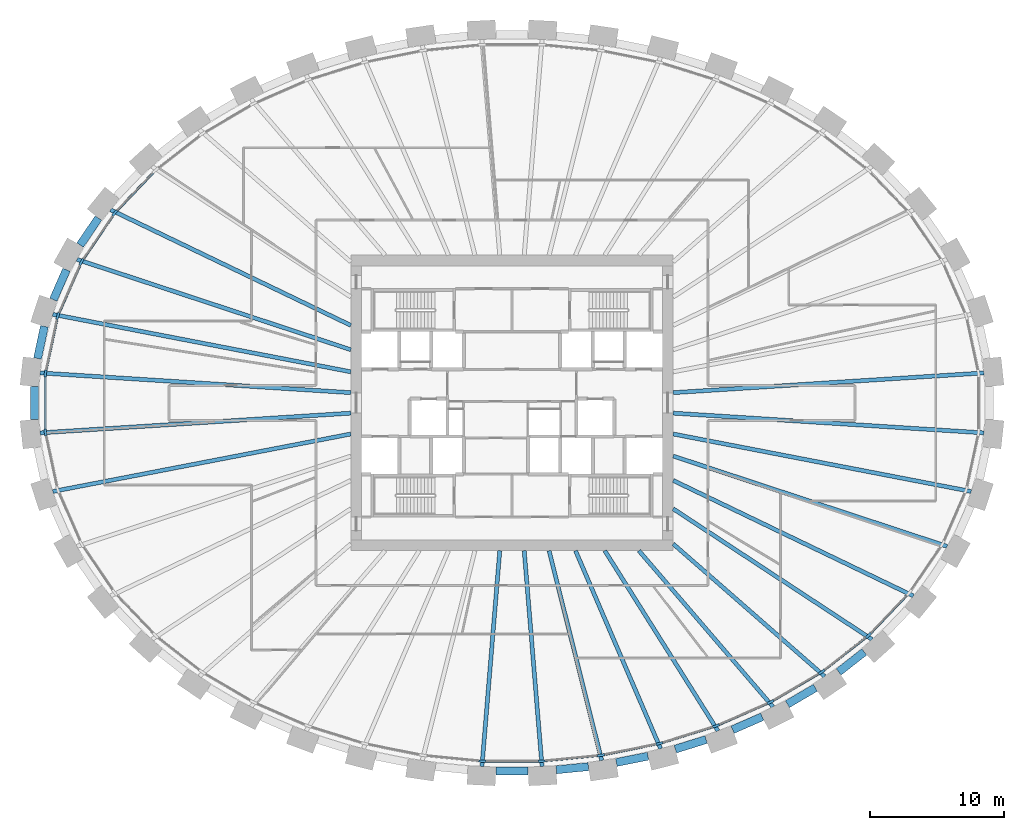
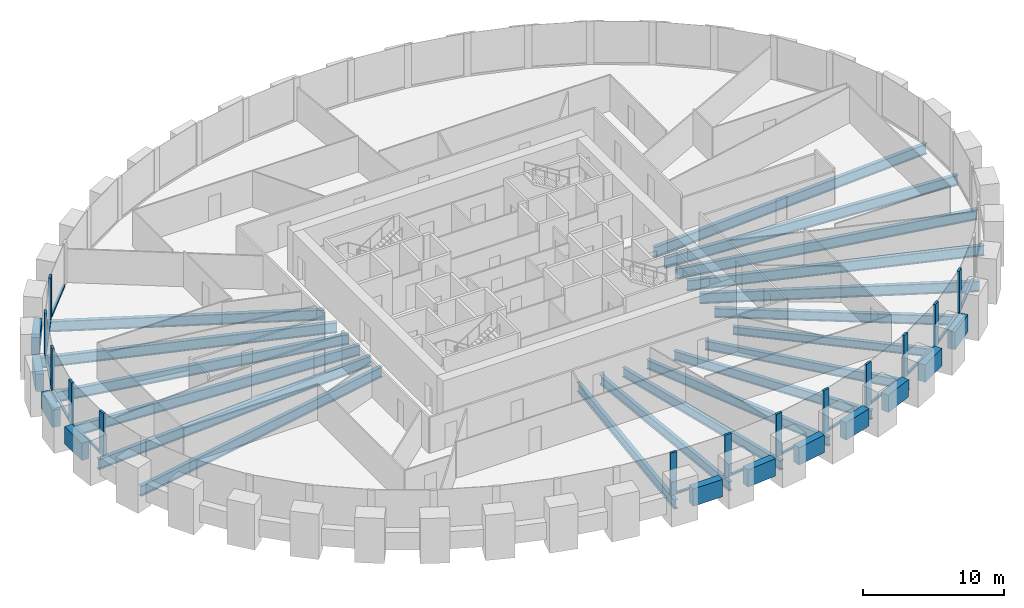
# One storey, part 2 of 11: 30 beams, 26 members, 1 element without a shape of its own.
"""IFC4 building model written with IfcOpenShell, lengths in metres."""

from ifc_helpers import new_model, si_unit, direction, frame, origin, origin_2d, place, context, subcontext, project, spatial, rectangle, i_section, extrude, source, transform, mapped, material, material_profile, profile_set, type_object, element, aggregate, save


model = new_model("IFC4")

# Units and contexts
model_context = context("Model", 3, precision=1e-05, world=origin(), true_north=direction((0.0, 1.0)))
body_context = subcontext(model_context, "Body", "Model", "MODEL_VIEW")
ifc_project = project(units=[si_unit("LENGTHUNIT", "METRE"), si_unit("AREAUNIT", "SQUARE_METRE"), si_unit("VOLUMEUNIT", "CUBIC_METRE"), si_unit("PLANEANGLEUNIT", "RADIAN"), si_unit("MASSUNIT", "GRAM", prefix="KILO")], contexts=[model_context])

# Site, building, storey
site_placement = place(None, origin())
site = spatial("IfcSite", under=ifc_project, at=site_placement, CompositionType="ELEMENT")
building_placement = place(site_placement, origin())
building = spatial("IfcBuilding", under=site, at=building_placement, Name="Embergate Tower", CompositionType="ELEMENT")
storey_placement = place(building_placement, frame((0.0, 0.0, 203.39990234375)))
storey = spatial("IfcBuildingStorey", under=building, at=storey_placement, Name="L46", CompositionType="ELEMENT", Elevation=203.39990234375)

# Beams
ifc_material_1 = material(Name="Concrete C60", Category="concrete")
ifc_material_profile_1 = material_profile(ifc_material_1, rectangle(XDim=0.60009765625, YDim=1.5, at=origin_2d()), Name="RC 600x1500")
ifc_profile_set_1 = profile_set([ifc_material_profile_1], Name="Concrete C60")
beam_type_1 = type_object("IfcBeamType", Name="Spandrel beam RC 600x1500 C60", PredefinedType="BEAM", material=ifc_profile_set_1)
shared_shape_1 = source(origin(), body_context, "Body", "SweptSolid", [
    extrude(rectangle(XDim=0.60009765625, YDim=1.5, at=origin_2d()), origin(), (0.0, 0.0, 1.0), 2.438720703125),
])
beam_1_placement = place(storey_placement, frame((-34.806884765625, 5.693115234375, 0.0), z_axis=(-0.210438320614, -0.977607136439, 0.0), x_axis=(0.977607136439, -0.210438320614, 0.0)))
element("IfcBeam", 1, at=beam_1_placement, inside=storey, type_object=beam_type_1, Name="SPN-L46-20", PredefinedType="BEAM", context=body_context, shape_type="MappedRepresentation", body=[
    mapped(shared_shape_1, transform((0.0, 0.0, 0.0))),
])
shared_shape_2 = source(origin(), body_context, "Body", "SweptSolid", [
    extrude(rectangle(XDim=0.60009765625, YDim=1.5, at=origin_2d()), origin(), (0.0, 0.0, 1.0), 2.431884765625),
])
beam_2_placement = place(storey_placement, frame((-33.1650390625, 9.912109375, 0.0), z_axis=(-0.401756025311, -0.915746742351, 0.0), x_axis=(0.915746742351, -0.401756025311, 0.0)))
element("IfcBeam", 2, at=beam_2_placement, inside=storey, type_object=beam_type_1, Name="SPN-L46-19", PredefinedType="BEAM", context=body_context, shape_type="MappedRepresentation", body=[
    mapped(shared_shape_2, transform((0.0, 0.0, 0.0))),
])
shared_shape_3 = source(origin(), body_context, "Body", "SweptSolid", [
    extrude(rectangle(XDim=0.60009765625, YDim=1.5, at=origin_2d()), origin(), (0.0, 0.0, 1.0), 2.42724609375),
])
beam_3_placement = place(storey_placement, frame((-30.783935546875, 13.756103515625, 0.0), z_axis=(-0.562359541569, -0.826892826191, 0.0), x_axis=(0.826892826191, -0.562359541569, 0.0)))
element("IfcBeam", 3, at=beam_3_placement, inside=storey, type_object=beam_type_1, Name="SPN-L46-18", PredefinedType="BEAM", context=body_context, shape_type="MappedRepresentation", body=[
    mapped(shared_shape_3, transform((0.0, 0.0, 0.0))),
])
shared_shape_4 = source(origin(), body_context, "Body", "SweptSolid", [
    extrude(rectangle(XDim=0.60009765625, YDim=1.5, at=origin_2d()), origin(), (0.0, 0.0, 1.0), 2.4150390625),
])
beam_4_placement = place(storey_placement, frame((24.319091796875, -20.02392578125, 0.0), z_axis=(0.788327742651, 0.615255532415, 0.0), x_axis=(-0.615255532415, 0.788327742651, 0.0)))
element("IfcBeam", 4, at=beam_4_placement, inside=storey, type_object=beam_type_1, Name="SPN-L46-38", PredefinedType="BEAM", context=body_context, shape_type="MappedRepresentation", body=[
    mapped(shared_shape_4, transform((0.0, 0.0, 0.0))),
])
shared_shape_5 = source(origin(), body_context, "Body", "SweptSolid", [
    extrude(rectangle(XDim=0.60009765625, YDim=1.5, at=origin_2d()), origin(), (0.0, 0.0, 1.0), 2.41015625),
])
beam_5_placement = place(storey_placement, frame((20.50390625, -22.426025390625, 0.0), z_axis=(0.862202298523, 0.506564108895, 0.0), x_axis=(-0.506564108895, 0.862202298523, 0.0)))
element("IfcBeam", 5, at=beam_5_placement, inside=storey, type_object=beam_type_1, Name="SPN-L46-37", PredefinedType="BEAM", context=body_context, shape_type="MappedRepresentation", body=[
    mapped(shared_shape_5, transform((0.0, 0.0, 0.0))),
])
shared_shape_6 = source(origin(), body_context, "Body", "SweptSolid", [
    extrude(rectangle(XDim=0.60009765625, YDim=1.5, at=origin_2d()), origin(), (0.0, 0.0, 1.0), 2.407470703125),
])
beam_6_placement = place(storey_placement, frame((16.4189453125, -24.326904296875, 0.0), z_axis=(0.916352733651, 0.400371911515, 0.0), x_axis=(-0.400371911515, 0.916352733651, 0.0)))
element("IfcBeam", 6, at=beam_6_placement, inside=storey, type_object=beam_type_1, Name="SPN-L46-36", PredefinedType="BEAM", context=body_context, shape_type="MappedRepresentation", body=[
    mapped(shared_shape_6, transform((0.0, 0.0, 0.0))),
])
shared_shape_7 = source(origin(), body_context, "Body", "SweptSolid", [
    extrude(rectangle(XDim=0.60009765625, YDim=1.5, at=origin_2d()), origin(), (0.0, 0.0, 1.0), 2.404541015625),
])
beam_7_placement = place(storey_placement, frame((12.156005859375, -25.77587890625, 0.0), z_axis=(0.954790193156, 0.297280485491, 0.0), x_axis=(-0.297280485491, 0.954790193156, 0.0)))
element("IfcBeam", 7, at=beam_7_placement, inside=storey, type_object=beam_type_1, Name="SPN-L46-35", PredefinedType="BEAM", context=body_context, shape_type="MappedRepresentation", body=[
    mapped(shared_shape_7, transform((0.0, 0.0, 0.0))),
])
shared_shape_8 = source(origin(), body_context, "Body", "SweptSolid", [
    extrude(rectangle(XDim=0.60009765625, YDim=1.5, at=origin_2d()), origin(), (0.0, 0.0, 1.0), 2.40185546875),
])
for number, where, z_axis, x_axis, name in (
    (8, (-1.200927734375, -27.416015625, 0.0), (1.0, 0.0, 0.0), (0.0, 1.0, 0.0), "SPN-L46-32"),
    (9, (7.76611328125, -26.76806640625, 0.0), (0.980486735487, 0.196585252585, 0.0), (-0.196585252585, 0.980486735487, 0.0), "SPN-L46-34"),
):
    element("IfcBeam", number, at=place(storey_placement, frame(where, z_axis=z_axis, x_axis=x_axis)), inside=storey, type_object=beam_type_1, Name=name, PredefinedType="BEAM", context=body_context, shape_type="MappedRepresentation", body=[
        mapped(shared_shape_8, transform((0.0, 0.0, 0.0))),
    ])
shared_shape_9 = source(origin(), body_context, "Body", "SweptSolid", [
    extrude(rectangle(XDim=0.60009765625, YDim=1.5, at=origin_2d()), origin(), (0.0, 0.0, 1.0), 2.4013671875),
])
beam_8_placement = place(storey_placement, frame((3.299072265625, -27.31298828125, 0.0), z_axis=(0.995195949519, 0.097903125895, 0.0), x_axis=(-0.097903125895, 0.995195949519, 0.0)))
element("IfcBeam", 10, at=beam_8_placement, inside=storey, type_object=beam_type_1, Name="SPN-L46-33", PredefinedType="BEAM", context=body_context, shape_type="MappedRepresentation", body=[
    mapped(shared_shape_9, transform((0.0, 0.0, 0.0))),
])
shared_shape_10 = source(origin(), body_context, "Body", "SweptSolid", [
    extrude(rectangle(XDim=0.60009765625, YDim=1.5, at=origin_2d()), origin(), (0.0, 0.0, 1.0), 2.43994140625),
])
beam_9_placement = place(storey_placement, frame((-35.5419921875, 1.219970703125, 0.0), z_axis=(0.0, -1.0, 0.0), x_axis=(1.0, 0.0, 0.0)))
element("IfcBeam", 11, at=beam_9_placement, inside=storey, type_object=beam_type_1, Name="SPN-L46-21", PredefinedType="BEAM", context=body_context, shape_type="MappedRepresentation", body=[
    mapped(shared_shape_10, transform((0.0, 0.0, 0.0))),
])
ifc_material_2 = material(Name="Steel Q355B", Category="steel")
ifc_material_profile_2 = material_profile(ifc_material_2, i_section(OverallWidth=0.300048828125, OverallDepth=0.89990234375, WebThickness=0.01611328125, FlangeThickness=0.028076171875, FilletRadius=0.028076171875, at=origin_2d()), Name="HN 900x300x16x28")
ifc_profile_set_2 = profile_set([ifc_material_profile_2], Name="Steel Q355 grade B")
beam_type_2 = type_object("IfcBeamType", Name="Radial girder HN 900x300x16x28", PredefinedType="BEAM", material=ifc_profile_set_2)
shared_shape_11 = source(origin(), body_context, "Body", "SweptSolid", [
    extrude(i_section(OverallWidth=0.300048828125, OverallDepth=0.89990234375, WebThickness=0.01611328125, FlangeThickness=0.028076171875, FilletRadius=0.028076171875, at=origin_2d()), origin(), (0.0, 0.0, 1.0), 23.168701171875),
])
for number, where, z_axis, x_axis, name in (
    (12, (35.1220703125, 2.23095703125, -0.64990234375), (-0.997987923886, -0.063404288318, 0.0), (0.063404288318, -0.997987923886, 0.0), "GIR-L46-00"),
    (13, (-35.1220703125, 2.23095703125, -0.64990234375), (0.997987923886, -0.063404288318, 0.0), (0.063404288318, 0.997987923886, 0.0), "GIR-L46-21"),
    (14, (-35.1220703125, -2.23095703125, -0.64990234375), (0.997987923886, 0.063404288318, 0.0), (-0.063404288318, 0.997987923886, 0.0), "GIR-L46-22"),
    (15, (35.1220703125, -2.23095703125, -0.64990234375), (-0.997987923886, 0.063404288318, 0.0), (-0.063404288318, -0.997987923886, 0.0), "GIR-L46-43"),
):
    element("IfcBeam", number, at=place(storey_placement, frame(where, z_axis=z_axis, x_axis=x_axis)), inside=storey, type_object=beam_type_2, Name=name, PredefinedType="BEAM", context=body_context, shape_type="MappedRepresentation", body=[
        mapped(shared_shape_11, transform((0.0, 0.0, 0.0))),
    ])
shared_shape_12 = source(origin(), body_context, "Body", "SweptSolid", [
    extrude(i_section(OverallWidth=0.300048828125, OverallDepth=0.89990234375, WebThickness=0.01611328125, FlangeThickness=0.028076171875, FilletRadius=0.028076171875, at=origin_2d()), origin(), (0.0, 0.0, 1.0), 22.592041015625),
])
for number, where, z_axis, x_axis, name in (
    (16, (-34.18310546875, 6.593994140625, -0.64990234375), (0.98189899441, -0.189405292367, 0.0), (0.189405292367, 0.98189899441, 0.0), "GIR-L46-20"),
    (17, (-34.18310546875, -6.593994140625, -0.64990234375), (0.98189899441, 0.189405292367, 0.0), (-0.189405292367, 0.98189899441, 0.0), "GIR-L46-23"),
    (18, (34.18310546875, -6.593994140625, -0.64990234375), (-0.98189899441, 0.189405292367, 0.0), (-0.189405292367, -0.98189899441, 0.0), "GIR-L46-42"),
):
    element("IfcBeam", number, at=place(storey_placement, frame(where, z_axis=z_axis, x_axis=x_axis)), inside=storey, type_object=beam_type_2, Name=name, PredefinedType="BEAM", context=body_context, shape_type="MappedRepresentation", body=[
        mapped(shared_shape_12, transform((0.0, 0.0, 0.0))),
    ])
shared_shape_13 = source(origin(), body_context, "Body", "SweptSolid", [
    extrude(i_section(OverallWidth=0.300048828125, OverallDepth=0.89990234375, WebThickness=0.01611328125, FlangeThickness=0.028076171875, FilletRadius=0.028076171875, at=origin_2d()), origin(), (0.0, 0.0, 1.0), 21.47119140625),
])
for number, where, z_axis, x_axis, name in (
    (19, (-32.39111328125, 10.681884765625, -0.64990234375), (0.949700564112, -0.313159445849, 0.0), (0.313159445849, 0.949700564112, 0.0), "GIR-L46-19"),
    (20, (32.39111328125, -10.681884765625, -0.64990234375), (-0.949700564112, 0.313159445849, 0.0), (-0.313159445849, -0.949700564112, 0.0), "GIR-L46-41"),
):
    element("IfcBeam", number, at=place(storey_placement, frame(where, z_axis=z_axis, x_axis=x_axis)), inside=storey, type_object=beam_type_2, Name=name, PredefinedType="BEAM", context=body_context, shape_type="MappedRepresentation", body=[
        mapped(shared_shape_13, transform((0.0, 0.0, 0.0))),
    ])
shared_shape_14 = source(origin(), body_context, "Body", "SweptSolid", [
    extrude(i_section(OverallWidth=0.300048828125, OverallDepth=0.89990234375, WebThickness=0.01611328125, FlangeThickness=0.028076171875, FilletRadius=0.028076171875, at=origin_2d()), origin(), (0.0, 0.0, 1.0), 19.841064453125),
])
for number, where, z_axis, x_axis, name in (
    (21, (-29.8798828125, 14.3740234375, -0.64990234375), (0.901154450988, -0.433498160854, 0.0), (0.433498160854, 0.901154450988, 0.0), "GIR-L46-18"),
    (22, (29.8798828125, -14.3740234375, -0.64990234375), (-0.901154450988, 0.433498160854, 0.0), (-0.433498160854, -0.901154450988, 0.0), "GIR-L46-40"),
):
    element("IfcBeam", number, at=place(storey_placement, frame(where, z_axis=z_axis, x_axis=x_axis)), inside=storey, type_object=beam_type_2, Name=name, PredefinedType="BEAM", context=body_context, shape_type="MappedRepresentation", body=[
        mapped(shared_shape_14, transform((0.0, 0.0, 0.0))),
    ])
ifc_material_profile_3 = material_profile(ifc_material_2, i_section(OverallWidth=0.300048828125, OverallDepth=0.800048828125, WebThickness=0.013916015625, FlangeThickness=0.02587890625, FilletRadius=0.028076171875, at=origin_2d()), Name="HN 800x300x14x26")
ifc_profile_set_3 = profile_set([ifc_material_profile_3], Name="Steel Q355 grade B")
beam_type_3 = type_object("IfcBeamType", Name="Radial girder HN 800x300x14x26", PredefinedType="BEAM", material=ifc_profile_set_3)
shared_shape_15 = source(origin(), body_context, "Body", "SweptSolid", [
    extrude(i_section(OverallWidth=0.300048828125, OverallDepth=0.800048828125, WebThickness=0.013916015625, FlangeThickness=0.02587890625, FilletRadius=0.028076171875, at=origin_2d()), origin(), (0.0, 0.0, 1.0), 17.70654296875),
])
beam_10_placement = place(storey_placement, frame((26.798095703125, -17.60693359375, -0.599853515625), z_axis=(-0.835745977406, 0.549116254767, 0.0), x_axis=(-0.549116254767, -0.835745977406, 0.0)))
element("IfcBeam", 23, at=beam_10_placement, inside=storey, type_object=beam_type_3, Name="GIR-L46-39", PredefinedType="BEAM", context=body_context, shape_type="MappedRepresentation", body=[
    mapped(shared_shape_15, transform((0.0, 0.0, 0.0))),
])
ifc_material_profile_4 = material_profile(ifc_material_2, i_section(OverallWidth=0.300048828125, OverallDepth=0.699951171875, WebThickness=0.012939453125, FlangeThickness=0.02392578125, FilletRadius=0.01806640625, at=origin_2d()), Name="HN 700x300x13x24")
ifc_profile_set_4 = profile_set([ifc_material_profile_4], Name="Steel Q355 grade B")
beam_type_4 = type_object("IfcBeamType", Name="Radial girder HN 700x300x13x24", PredefinedType="BEAM", material=ifc_profile_set_4)
shared_shape_16 = source(origin(), body_context, "Body", "SweptSolid", [
    extrude(i_section(OverallWidth=0.300048828125, OverallDepth=0.699951171875, WebThickness=0.012939453125, FlangeThickness=0.02392578125, FilletRadius=0.01806640625, at=origin_2d()), origin(), (0.0, 0.0, 1.0), 14.9794921875),
])
beam_11_placement = place(storey_placement, frame((23.27587890625, -20.35595703125, -0.5498046875), z_axis=(-0.752760419663, 0.658294577365, 0.0), x_axis=(-0.658294577365, -0.752760419663, 0.0)))
element("IfcBeam", 24, at=beam_11_placement, inside=storey, type_object=beam_type_4, Name="GIR-L46-38", PredefinedType="BEAM", context=body_context, shape_type="MappedRepresentation", body=[
    mapped(shared_shape_16, transform((0.0, 0.0, 0.0))),
])
shared_shape_17 = source(origin(), body_context, "Body", "SweptSolid", [
    extrude(i_section(OverallWidth=0.300048828125, OverallDepth=0.800048828125, WebThickness=0.013916015625, FlangeThickness=0.02587890625, FilletRadius=0.028076171875, at=origin_2d()), origin(), (0.0, 0.0, 1.0), 15.31689453125),
])
beam_12_placement = place(storey_placement, frame((19.425048828125, -22.6201171875, -0.599853515625), z_axis=(-0.651502542644, 0.758646450548, 0.0), x_axis=(-0.758646450548, -0.651502542644, 0.0)))
element("IfcBeam", 25, at=beam_12_placement, inside=storey, type_object=beam_type_3, Name="GIR-L46-37", PredefinedType="BEAM", context=body_context, shape_type="MappedRepresentation", body=[
    mapped(shared_shape_17, transform((0.0, 0.0, 0.0))),
])
shared_shape_18 = source(origin(), body_context, "Body", "SweptSolid", [
    extrude(i_section(OverallWidth=0.300048828125, OverallDepth=0.800048828125, WebThickness=0.013916015625, FlangeThickness=0.02587890625, FilletRadius=0.028076171875, at=origin_2d()), origin(), (0.0, 0.0, 1.0), 15.836181640625),
])
beam_13_placement = place(storey_placement, frame((15.330078125, -24.410888671875, -0.599853515625), z_axis=(-0.531828302788, 0.846852204552, 0.0), x_axis=(-0.846852204552, -0.531828302788, 0.0)))
element("IfcBeam", 26, at=beam_13_placement, inside=storey, type_object=beam_type_3, Name="GIR-L46-36", PredefinedType="BEAM", context=body_context, shape_type="MappedRepresentation", body=[
    mapped(shared_shape_18, transform((0.0, 0.0, 0.0))),
])
shared_shape_19 = source(origin(), body_context, "Body", "SweptSolid", [
    extrude(i_section(OverallWidth=0.300048828125, OverallDepth=0.800048828125, WebThickness=0.013916015625, FlangeThickness=0.02587890625, FilletRadius=0.028076171875, at=origin_2d()), origin(), (0.0, 0.0, 1.0), 16.043701171875),
])
beam_14_placement = place(storey_placement, frame((11.06298828125, -25.739990234375, -0.599853515625), z_axis=(-0.394857578675, 0.918742342859, 0.0), x_axis=(-0.918742342859, -0.394857578675, 0.0)))
element("IfcBeam", 27, at=beam_14_placement, inside=storey, type_object=beam_type_3, Name="GIR-L46-35", PredefinedType="BEAM", context=body_context, shape_type="MappedRepresentation", body=[
    mapped(shared_shape_19, transform((0.0, 0.0, 0.0))),
])
shared_shape_20 = source(origin(), body_context, "Body", "SweptSolid", [
    extrude(i_section(OverallWidth=0.300048828125, OverallDepth=0.800048828125, WebThickness=0.013916015625, FlangeThickness=0.02587890625, FilletRadius=0.028076171875, at=origin_2d()), origin(), (0.0, 0.0, 1.0), 16.103515625),
])
beam_15_placement = place(storey_placement, frame((6.681884765625, -26.618896484375, -0.599853515625), z_axis=(-0.243480824062, 0.969905711043, 0.0), x_axis=(-0.969905711043, -0.243480824062, 0.0)))
element("IfcBeam", 28, at=beam_15_placement, inside=storey, type_object=beam_type_3, Name="GIR-L46-34", PredefinedType="BEAM", context=body_context, shape_type="MappedRepresentation", body=[
    mapped(shared_shape_20, transform((0.0, 0.0, 0.0))),
])
shared_shape_21 = source(origin(), body_context, "Body", "SweptSolid", [
    extrude(i_section(OverallWidth=0.300048828125, OverallDepth=0.800048828125, WebThickness=0.013916015625, FlangeThickness=0.02587890625, FilletRadius=0.028076171875, at=origin_2d()), origin(), (0.0, 0.0, 1.0), 16.110595703125),
])
for number, where, z_axis, x_axis, name in (
    (29, (-2.235107421875, -27.055908203125, -0.599853515625), (0.082316809043, 0.996606212578, 0.0), (-0.996606212578, 0.082316809043, 0.0), "GIR-L46-32"),
    (30, (2.235107421875, -27.055908203125, -0.599853515625), (-0.082316809043, 0.996606212578, 0.0), (-0.996606212578, -0.082316809043, 0.0), "GIR-L46-33"),
):
    element("IfcBeam", number, at=place(storey_placement, frame(where, z_axis=z_axis, x_axis=x_axis)), inside=storey, type_object=beam_type_3, Name=name, PredefinedType="BEAM", context=body_context, shape_type="MappedRepresentation", body=[
        mapped(shared_shape_21, transform((0.0, 0.0, 0.0))),
    ])

# Curtain wall, members
ifc_material_3 = material(Name="Aluminium and glass", Category="aluminium")
curtain_wall_type = type_object("IfcCurtainWallType", Name="Recessed office glazing", PredefinedType="NOTDEFINED", material=ifc_material_3)
curtain_wall_placement = place(storey_placement, origin())
curtain_wall = element("IfcCurtainWall", 31, at=curtain_wall_placement, inside=storey, type_object=curtain_wall_type, Name="Recessed office glazing ring", ObjectType="RECESSED OFFICE GLAZING", PredefinedType="USERDEFINED")
ifc_material_4 = material(Name="Aluminium, thermally broken", Category="aluminium")
ifc_material_profile_5 = material_profile(ifc_material_4, rectangle(XDim=0.179931640625, YDim=0.52001953125, at=origin_2d()), Name="AL 520x180")
ifc_profile_set_5 = profile_set([ifc_material_profile_5], Name="Aluminium, thermally broken")
member_type_1 = type_object("IfcMemberType", Name="Office mullion", PredefinedType="MULLION", material=ifc_profile_set_5)
shared_shape_22 = source(origin(), body_context, "Body", "SweptSolid", [
    extrude(rectangle(XDim=0.179931640625, YDim=0.52001953125, at=origin_2d()), origin(), (0.0, 0.0, 1.0), 3.7001953125),
])
member_1_placement = place(storey_placement, frame((-29.577392578125, 14.128662109375, 0.0), z_axis=(0.0, 0.0, 1.0), x_axis=(0.777879145133, -0.628413904658, 0.0)))
member_1 = element("IfcMember", 32, at=member_1_placement, type_object=member_type_1, Name="CW mullion 19", PredefinedType="MULLION", context=body_context, shape_type="MappedRepresentation", body=[
    mapped(shared_shape_22, transform((0.0, 0.0, 0.0))),
])
member_2_placement = place(storey_placement, frame((-32.050048828125, 10.492431640625, 0.0), z_axis=(0.0, 0.0, 1.0), x_axis=(0.875006120538, -0.484111855898, 0.0)))
member_2 = element("IfcMember", 33, at=member_2_placement, type_object=member_type_1, Name="CW mullion 20", PredefinedType="MULLION", context=body_context, shape_type="MappedRepresentation", body=[
    mapped(shared_shape_22, transform((0.0, 0.0, 0.0))),
])
member_3_placement = place(storey_placement, frame((-33.812744140625, 6.473388671875, 0.0), z_axis=(0.0, 0.0, 1.0), x_axis=(0.95149940886, -0.307650572791, 0.0)))
member_3 = element("IfcMember", 34, at=member_3_placement, type_object=member_type_1, Name="CW mullion 21", PredefinedType="MULLION", context=body_context, shape_type="MappedRepresentation", body=[
    mapped(shared_shape_22, transform((0.0, 0.0, 0.0))),
])
member_4_placement = place(storey_placement, frame((-34.734619140625, 2.189697265625, 0.0), z_axis=(0.0, 0.0, 1.0), x_axis=(0.994385139431, -0.105821521816, 0.0)))
member_4 = element("IfcMember", 35, at=member_4_placement, type_object=member_type_1, Name="CW mullion 22", PredefinedType="MULLION", context=body_context, shape_type="MappedRepresentation", body=[
    mapped(shared_shape_22, transform((0.0, 0.0, 0.0))),
])
member_5_placement = place(storey_placement, frame((-34.734619140625, -2.189697265625, 0.0), z_axis=(0.0, 0.0, 1.0), x_axis=(0.994385139431, 0.105821521816, 0.0)))
member_5 = element("IfcMember", 36, at=member_5_placement, type_object=member_type_1, Name="CW mullion 23", PredefinedType="MULLION", context=body_context, shape_type="MappedRepresentation", body=[
    mapped(shared_shape_22, transform((0.0, 0.0, 0.0))),
])
member_6_placement = place(storey_placement, frame((-2.215576171875, -26.666015625, 0.0), z_axis=(0.0, 0.0, 1.0), x_axis=(0.048971796621, 0.998800161762, 0.0)))
member_6 = element("IfcMember", 37, at=member_6_placement, type_object=member_type_1, Name="CW mullion 33", PredefinedType="MULLION", context=body_context, shape_type="MappedRepresentation", body=[
    mapped(shared_shape_22, transform((0.0, 0.0, 0.0))),
])
member_7_placement = place(storey_placement, frame((2.215576171875, -26.666015625, 0.0), z_axis=(0.0, 0.0, 1.0), x_axis=(-0.048971796621, 0.998800161762, 0.0)))
member_7 = element("IfcMember", 38, at=member_7_placement, type_object=member_type_1, Name="CW mullion 34", PredefinedType="MULLION", context=body_context, shape_type="MappedRepresentation", body=[
    mapped(shared_shape_22, transform((0.0, 0.0, 0.0))),
])
member_8_placement = place(storey_placement, frame((6.624755859375, -26.232421875, 0.0), z_axis=(0.0, 0.0, 1.0), x_axis=(-0.147415835341, 0.989074603602, 0.0)))
member_8 = element("IfcMember", 39, at=member_8_placement, type_object=member_type_1, Name="CW mullion 35", PredefinedType="MULLION", context=body_context, shape_type="MappedRepresentation", body=[
    mapped(shared_shape_22, transform((0.0, 0.0, 0.0))),
])
member_9_placement = place(storey_placement, frame((10.967529296875, -25.361572265625, 0.0), z_axis=(0.0, 0.0, 1.0), x_axis=(-0.247318645812, 0.968934201808, 0.0)))
member_9 = element("IfcMember", 40, at=member_9_placement, type_object=member_type_1, Name="CW mullion 36", PredefinedType="MULLION", context=body_context, shape_type="MappedRepresentation", body=[
    mapped(shared_shape_22, transform((0.0, 0.0, 0.0))),
])
member_10_placement = place(storey_placement, frame((15.194580078125, -24.045166015625, 0.0), z_axis=(0.0, 0.0, 1.0), x_axis=(-0.349510859141, 0.936932313106, 0.0)))
member_10 = element("IfcMember", 41, at=member_10_placement, type_object=member_type_1, Name="CW mullion 37", PredefinedType="MULLION", context=body_context, shape_type="MappedRepresentation", body=[
    mapped(shared_shape_22, transform((0.0, 0.0, 0.0))),
])
member_11_placement = place(storey_placement, frame((19.247802734375, -22.272705078125, 0.0), z_axis=(0.0, 0.0, 1.0), x_axis=(-0.454520708319, 0.890736170653, 0.0)))
member_11 = element("IfcMember", 42, at=member_11_placement, type_object=member_type_1, Name="CW mullion 38", PredefinedType="MULLION", context=body_context, shape_type="MappedRepresentation", body=[
    mapped(shared_shape_22, transform((0.0, 0.0, 0.0))),
])
member_12_placement = place(storey_placement, frame((23.057373046875, -20.03271484375, 0.0), z_axis=(0.0, 0.0, 1.0), x_axis=(-0.562226278725, 0.826983440893, 0.0)))
member_12 = element("IfcMember", 43, at=member_12_placement, type_object=member_type_1, Name="CW mullion 39", PredefinedType="MULLION", context=body_context, shape_type="MappedRepresentation", body=[
    mapped(shared_shape_22, transform((0.0, 0.0, 0.0))),
])
member_13_placement = place(storey_placement, frame((26.53662109375, -17.3173828125, 0.0), z_axis=(0.0, 0.0, 1.0), x_axis=(-0.671235590011, 0.741244077684, 0.0)))
member_13 = element("IfcMember", 44, at=member_13_placement, type_object=member_type_1, Name="CW mullion 40", PredefinedType="MULLION", context=body_context, shape_type="MappedRepresentation", body=[
    mapped(shared_shape_22, transform((0.0, 0.0, 0.0))),
])
ifc_material_profile_6 = material_profile(ifc_material_4, rectangle(XDim=0.179931640625, YDim=0.14990234375, at=origin_2d()), Name="AL 150x180")
ifc_profile_set_6 = profile_set([ifc_material_profile_6], Name="Aluminium, thermally broken")
member_type_2 = type_object("IfcMemberType", Name="Office sill transom", PredefinedType="USERDEFINED", material=ifc_profile_set_6)
shared_shape_23 = source(origin(), body_context, "Body", "SweptSolid", [
    extrude(rectangle(XDim=0.179931640625, YDim=0.14990234375, at=origin_2d()), origin(), (0.0, 0.0, 1.0), 3.861572265625),
])
member_14_placement = place(storey_placement, frame((-33.867431640625, 6.218994140625, 0.0751953125), z_axis=(-0.210405488485, -0.97761420326, 0.0), x_axis=(0.97761420326, -0.210405488485, 0.0)))
member_14 = element("IfcMember", 45, at=member_14_placement, type_object=member_type_2, Name="CW transom 21.1", ObjectType="TRANSOM", PredefinedType="USERDEFINED", context=body_context, shape_type="MappedRepresentation", body=[
    mapped(shared_shape_23, transform((0.0, 0.0, 0.0))),
])
shared_shape_24 = source(origin(), body_context, "Body", "SweptSolid", [
    extrude(rectangle(XDim=0.179931640625, YDim=0.14990234375, at=origin_2d()), origin(), (0.0, 0.0, 1.0), 3.86865234375),
])
member_15_placement = place(storey_placement, frame((-32.154541015625, 10.25439453125, 0.0751953125), z_axis=(-0.401613211287, -0.915809384381, 0.0), x_axis=(0.915809384381, -0.401613211287, 0.0)))
member_15 = element("IfcMember", 46, at=member_15_placement, type_object=member_type_2, Name="CW transom 20.1", ObjectType="TRANSOM", PredefinedType="USERDEFINED", context=body_context, shape_type="MappedRepresentation", body=[
    mapped(shared_shape_24, transform((0.0, 0.0, 0.0))),
])
shared_shape_25 = source(origin(), body_context, "Body", "SweptSolid", [
    extrude(rectangle(XDim=0.179931640625, YDim=0.14990234375, at=origin_2d()), origin(), (0.0, 0.0, 1.0), 3.87744140625),
])
member_16_placement = place(storey_placement, frame((-29.723388671875, 13.913818359375, 0.0751953125), z_axis=(-0.562334132223, -0.826910106201, 0.0), x_axis=(0.826910106201, -0.562334132223, 0.0)))
member_16 = element("IfcMember", 47, at=member_16_placement, type_object=member_type_2, Name="CW transom 19.1", ObjectType="TRANSOM", PredefinedType="USERDEFINED", context=body_context, shape_type="MappedRepresentation", body=[
    mapped(shared_shape_25, transform((0.0, 0.0, 0.0))),
])
shared_shape_26 = source(origin(), body_context, "Body", "SweptSolid", [
    extrude(rectangle(XDim=0.179931640625, YDim=0.14990234375, at=origin_2d()), origin(), (0.0, 0.0, 1.0), 3.885986328125),
])
member_17_placement = place(storey_placement, frame((-26.716064453125, 17.129150390625, 0.0751953125), z_axis=(-0.690100588862, -0.723713463501, 0.0), x_axis=(0.723713463501, -0.690100588862, 0.0)))
member_17 = element("IfcMember", 48, at=member_17_placement, type_object=member_type_2, Name="CW transom 18.1", ObjectType="TRANSOM", PredefinedType="USERDEFINED", context=body_context, shape_type="MappedRepresentation", body=[
    mapped(shared_shape_26, transform((0.0, 0.0, 0.0))),
])
member_18_placement = place(storey_placement, frame((26.716064453125, -17.129150390625, 0.0751953125), z_axis=(0.690100588862, 0.723713463501, 0.0), x_axis=(-0.723713463501, 0.690100588862, 0.0)))
member_18 = element("IfcMember", 49, at=member_18_placement, type_object=member_type_2, Name="CW transom 40.1", ObjectType="TRANSOM", PredefinedType="USERDEFINED", context=body_context, shape_type="MappedRepresentation", body=[
    mapped(shared_shape_26, transform((0.0, 0.0, 0.0))),
])
shared_shape_27 = source(origin(), body_context, "Body", "SweptSolid", [
    extrude(rectangle(XDim=0.179931640625, YDim=0.14990234375, at=origin_2d()), origin(), (0.0, 0.0, 1.0), 3.893310546875),
])
member_19_placement = place(storey_placement, frame((23.262451171875, -19.872802734375, 0.0751953125), z_axis=(0.788300946637, 0.615289864641, 0.0), x_axis=(-0.615289864641, 0.788300946637, 0.0)))
member_19 = element("IfcMember", 50, at=member_19_placement, type_object=member_type_2, Name="CW transom 39.1", ObjectType="TRANSOM", PredefinedType="USERDEFINED", context=body_context, shape_type="MappedRepresentation", body=[
    mapped(shared_shape_27, transform((0.0, 0.0, 0.0))),
])
shared_shape_28 = source(origin(), body_context, "Body", "SweptSolid", [
    extrude(rectangle(XDim=0.179931640625, YDim=0.14990234375, at=origin_2d()), origin(), (0.0, 0.0, 1.0), 3.899169921875),
])
member_20_placement = place(storey_placement, frame((19.471923828125, -22.140869140625, 0.0751953125), z_axis=(0.862038818014, 0.50684225972, 0.0), x_axis=(-0.50684225972, 0.862038818014, 0.0)))
member_20 = element("IfcMember", 51, at=member_20_placement, type_object=member_type_2, Name="CW transom 38.1", ObjectType="TRANSOM", PredefinedType="USERDEFINED", context=body_context, shape_type="MappedRepresentation", body=[
    mapped(shared_shape_28, transform((0.0, 0.0, 0.0))),
])
shared_shape_29 = source(origin(), body_context, "Body", "SweptSolid", [
    extrude(rectangle(XDim=0.179931640625, YDim=0.14990234375, at=origin_2d()), origin(), (0.0, 0.0, 1.0), 3.904052734375),
])
member_21_placement = place(storey_placement, frame((15.4326171875, -23.94091796875, 0.0751953125), z_axis=(0.91622190986, 0.400671201725, 0.0), x_axis=(-0.400671201725, 0.91622190986, 0.0)))
member_21 = element("IfcMember", 52, at=member_21_placement, type_object=member_type_2, Name="CW transom 37.1", ObjectType="TRANSOM", PredefinedType="USERDEFINED", context=body_context, shape_type="MappedRepresentation", body=[
    mapped(shared_shape_29, transform((0.0, 0.0, 0.0))),
])
shared_shape_30 = source(origin(), body_context, "Body", "SweptSolid", [
    extrude(rectangle(XDim=0.179931640625, YDim=0.14990234375, at=origin_2d()), origin(), (0.0, 0.0, 1.0), 3.9072265625),
])
member_22_placement = place(storey_placement, frame((11.2158203125, -25.2841796875, 0.0751953125), z_axis=(0.954764170674, 0.297364050277, 0.0), x_axis=(-0.297364050277, 0.954764170674, 0.0)))
member_22 = element("IfcMember", 53, at=member_22_placement, type_object=member_type_2, Name="CW transom 36.1", ObjectType="TRANSOM", PredefinedType="USERDEFINED", context=body_context, shape_type="MappedRepresentation", body=[
    mapped(shared_shape_30, transform((0.0, 0.0, 0.0))),
])
shared_shape_31 = source(origin(), body_context, "Body", "SweptSolid", [
    extrude(rectangle(XDim=0.179931640625, YDim=0.14990234375, at=origin_2d()), origin(), (0.0, 0.0, 1.0), 3.909423828125),
])
member_23_placement = place(storey_placement, frame((6.879638671875, -26.181396484375, 0.0751953125), z_axis=(0.980472439404, 0.196656542145, 0.0), x_axis=(-0.196656542145, 0.980472439404, 0.0)))
member_23 = element("IfcMember", 54, at=member_23_placement, type_object=member_type_2, Name="CW transom 35.1", ObjectType="TRANSOM", PredefinedType="USERDEFINED", context=body_context, shape_type="MappedRepresentation", body=[
    mapped(shared_shape_31, transform((0.0, 0.0, 0.0))),
])
shared_shape_32 = source(origin(), body_context, "Body", "SweptSolid", [
    extrude(rectangle(XDim=0.179931640625, YDim=0.14990234375, at=origin_2d()), origin(), (0.0, 0.0, 1.0), 3.91064453125),
])
member_24_placement = place(storey_placement, frame((2.47412109375, -26.640380859375, 0.0751953125), z_axis=(0.995203291529, 0.097828464828, 0.0), x_axis=(-0.097828464828, 0.995203291529, 0.0)))
member_24 = element("IfcMember", 55, at=member_24_placement, type_object=member_type_2, Name="CW transom 34.1", ObjectType="TRANSOM", PredefinedType="USERDEFINED", context=body_context, shape_type="MappedRepresentation", body=[
    mapped(shared_shape_32, transform((0.0, 0.0, 0.0))),
])
shared_shape_33 = source(origin(), body_context, "Body", "SweptSolid", [
    extrude(rectangle(XDim=0.179931640625, YDim=0.14990234375, at=origin_2d()), origin(), (0.0, 0.0, 1.0), 3.9111328125),
])
member_25_placement = place(storey_placement, frame((-1.95556640625, -26.666015625, 0.0751953125), z_axis=(1.0, 0.0, 0.0), x_axis=(0.0, 1.0, 0.0)))
member_25 = element("IfcMember", 56, at=member_25_placement, type_object=member_type_2, Name="CW transom 33.1", ObjectType="TRANSOM", PredefinedType="USERDEFINED", context=body_context, shape_type="MappedRepresentation", body=[
    mapped(shared_shape_33, transform((0.0, 0.0, 0.0))),
])
shared_shape_34 = source(origin(), body_context, "Body", "SweptSolid", [
    extrude(rectangle(XDim=0.179931640625, YDim=0.14990234375, at=origin_2d()), origin(), (0.0, 0.0, 1.0), 3.859375),
])
member_26_placement = place(storey_placement, frame((-34.734619140625, 1.9296875, 0.0751953125), z_axis=(0.0, -1.0, 0.0), x_axis=(1.0, 0.0, 0.0)))
member_26 = element("IfcMember", 57, at=member_26_placement, type_object=member_type_2, Name="CW transom 22.1", ObjectType="TRANSOM", PredefinedType="USERDEFINED", context=body_context, shape_type="MappedRepresentation", body=[
    mapped(shared_shape_34, transform((0.0, 0.0, 0.0))),
])
aggregate(curtain_wall, [member_1, member_2, member_3, member_4, member_5, member_6, member_7, member_8, member_9, member_10, member_11, member_12, member_13, member_17, member_16, member_15, member_14, member_26, member_25, member_24, member_23, member_22, member_21, member_20, member_19, member_18])

save(model, "model.ifc")
